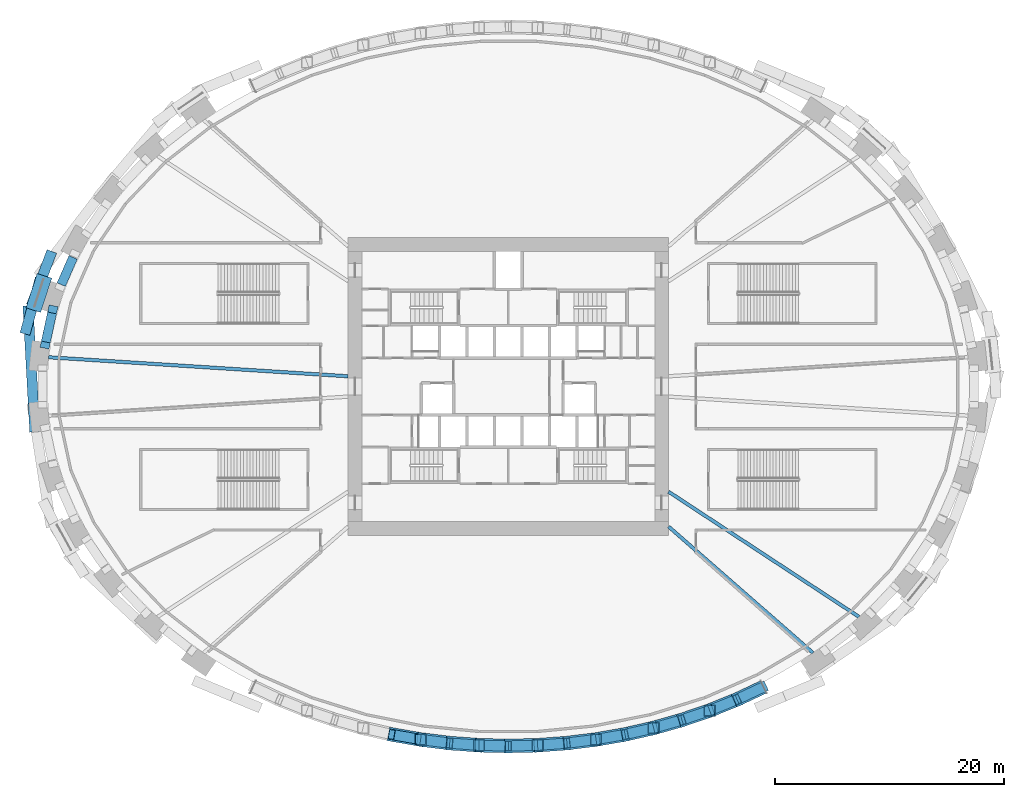
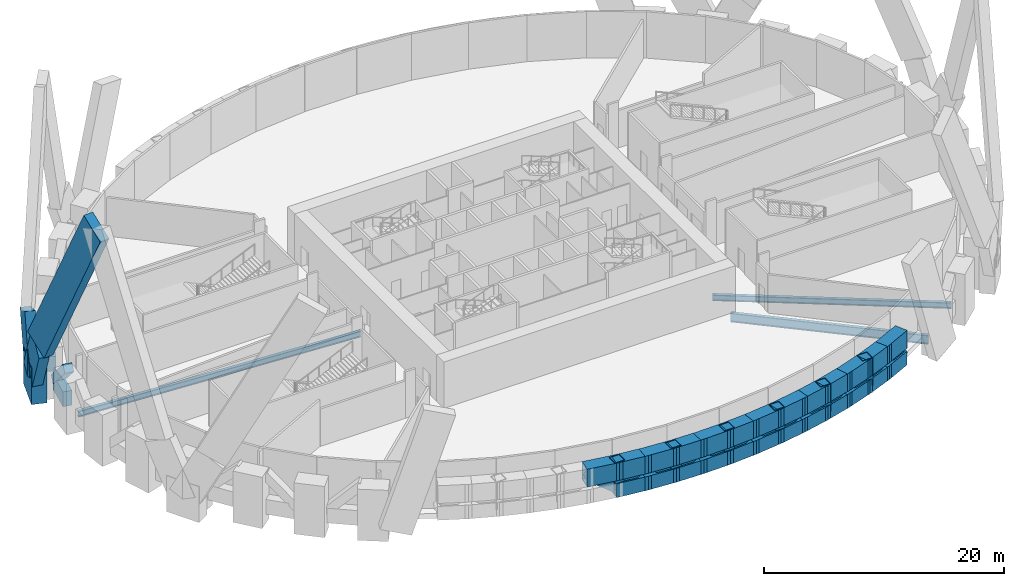
# One storey, part 2 of 16: 49 members, 5 beams.
"""IFC4 building model written with IfcOpenShell, lengths in metres."""

from ifc_helpers import new_model, si_unit, direction, frame, origin, origin_2d, place, context, subcontext, project, spatial, rectangle, hollow_rectangle, i_section, extrude, source, transform, mapped, material, material_profile, profile_set, type_object, element, save


model = new_model("IFC4")

# Units and contexts
model_context = context("Model", 3, precision=1e-05, world=origin(), true_north=direction((0.0, 1.0)))
body_context = subcontext(model_context, "Body", "Model", "MODEL_VIEW")
ifc_project = project(units=[si_unit("LENGTHUNIT", "METRE"), si_unit("AREAUNIT", "SQUARE_METRE"), si_unit("VOLUMEUNIT", "CUBIC_METRE"), si_unit("PLANEANGLEUNIT", "RADIAN"), si_unit("MASSUNIT", "GRAM", prefix="KILO")], contexts=[model_context])

# Site, building, storey
site_placement = place(None, origin())
site = spatial("IfcSite", under=ifc_project, at=site_placement, CompositionType="ELEMENT")
building_placement = place(site_placement, origin())
building = spatial("IfcBuilding", under=site, at=building_placement, Name="Embergate Tower", CompositionType="ELEMENT")
storey_placement = place(building_placement, frame((0.0, 0.0, 24.0)))
storey = spatial("IfcBuildingStorey", under=building, at=storey_placement, Name="L02", CompositionType="ELEMENT", Elevation=24.0)

# Beams
ifc_material_1 = material(Name="Concrete C70", Category="concrete")
ifc_material_profile_1 = material_profile(ifc_material_1, rectangle(XDim=0.800048828125, YDim=1.5, at=origin_2d()), Name="RC 800x1500")
ifc_profile_set_1 = profile_set([ifc_material_profile_1], Name="Concrete C70")
beam_type_1 = type_object("IfcBeamType", Name="Spandrel beam RC 800x1500 C70", PredefinedType="BEAM", material=ifc_profile_set_1)
shared_shape_1 = source(origin(), body_context, "Body", "SweptSolid", [
    extrude(rectangle(XDim=0.800048828125, YDim=1.5, at=origin_2d()), origin(), (0.0, 0.0, 1.0), 2.59716796875),
])
beam_1_placement = place(storey_placement, frame((-39.862060546875, 6.424072265625, 0.0), z_axis=(-0.210196709523, -0.977659114061, 0.0), x_axis=(0.977659114061, -0.210196709523, 0.0)))
element("IfcBeam", 1, at=beam_1_placement, inside=storey, type_object=beam_type_1, Name="SPN-L02-20", PredefinedType="BEAM", context=body_context, shape_type="MappedRepresentation", body=[
    mapped(shared_shape_1, transform((0.0, 0.0, 0.0))),
])
shared_shape_2 = source(origin(), body_context, "Body", "SweptSolid", [
    extrude(rectangle(XDim=0.800048828125, YDim=1.5, at=origin_2d()), origin(), (0.0, 0.0, 1.0), 2.594482421875),
])
beam_2_placement = place(storey_placement, frame((-38.02001953125, 11.27392578125, 0.0), z_axis=(-0.401628265127, -0.915802782618, 0.0), x_axis=(0.915802782618, -0.401628265127, 0.0)))
element("IfcBeam", 2, at=beam_2_placement, inside=storey, type_object=beam_type_1, Name="SPN-L02-19", PredefinedType="BEAM", context=body_context, shape_type="MappedRepresentation", body=[
    mapped(shared_shape_2, transform((0.0, 0.0, 0.0))),
])
ifc_material_2 = material(Name="Steel Q355B", Category="steel")
ifc_material_profile_2 = material_profile(ifc_material_2, i_section(OverallWidth=0.300048828125, OverallDepth=0.587890625, WebThickness=0.011962890625, FlangeThickness=0.02001953125, FilletRadius=0.012939453125, at=origin_2d()), Name="HM 588x300x12x20")
ifc_profile_set_2 = profile_set([ifc_material_profile_2], Name="Steel Q355 grade B")
beam_type_2 = type_object("IfcBeamType", Name="Plant girder HM 588x300x12x20", PredefinedType="BEAM", material=ifc_profile_set_2)
shared_shape_3 = source(origin(), body_context, "Body", "SweptSolid", [
    extrude(i_section(OverallWidth=0.300048828125, OverallDepth=0.587890625, WebThickness=0.011962890625, FlangeThickness=0.02001953125, FilletRadius=0.012939453125, at=origin_2d()), origin(), (0.0, 0.0, 1.0), 26.216796875),
])
beam_3_placement = place(storey_placement, frame((-40.1640625, 2.552001953125, -0.7939453125), z_axis=(0.997985925942, -0.063435728273, 0.0), x_axis=(0.063435728273, 0.997985925942, 0.0)))
element("IfcBeam", 3, at=beam_3_placement, inside=storey, type_object=beam_type_2, Name="GIR-L02-21", PredefinedType="BEAM", context=body_context, shape_type="MappedRepresentation", body=[
    mapped(shared_shape_3, transform((0.0, 0.0, 0.0))),
])
shared_shape_4 = source(origin(), body_context, "Body", "SweptSolid", [
    extrude(i_section(OverallWidth=0.300048828125, OverallDepth=0.587890625, WebThickness=0.011962890625, FlangeThickness=0.02001953125, FilletRadius=0.012939453125, at=origin_2d()), origin(), (0.0, 0.0, 1.0), 19.915283203125),
])
beam_4_placement = place(storey_placement, frame((30.64404296875, -20.134033203125, -0.7939453125), z_axis=(-0.835739557049, 0.549126026322, 0.0), x_axis=(-0.549126026322, -0.835739557049, 0.0)))
element("IfcBeam", 4, at=beam_4_placement, inside=storey, type_object=beam_type_2, Name="GIR-L02-39", PredefinedType="BEAM", context=body_context, shape_type="MappedRepresentation", body=[
    mapped(shared_shape_4, transform((0.0, 0.0, 0.0))),
])
ifc_material_profile_3 = material_profile(ifc_material_2, i_section(OverallWidth=0.300048828125, OverallDepth=0.89990234375, WebThickness=0.01611328125, FlangeThickness=0.028076171875, FilletRadius=0.028076171875, at=origin_2d()), Name="HN 900x300x16x28")
ifc_profile_set_3 = profile_set([ifc_material_profile_3], Name="Steel Q355 grade B")
beam_type_3 = type_object("IfcBeamType", Name="Plant girder HN 900x300x16x28", PredefinedType="BEAM", material=ifc_profile_set_3)
shared_shape_5 = source(origin(), body_context, "Body", "SweptSolid", [
    extrude(i_section(OverallWidth=0.300048828125, OverallDepth=0.89990234375, WebThickness=0.01611328125, FlangeThickness=0.028076171875, FilletRadius=0.028076171875, at=origin_2d()), origin(), (0.0, 0.0, 1.0), 16.760498046875),
])
beam_5_placement = place(storey_placement, frame((26.616943359375, -23.27587890625, -0.949951171875), z_axis=(-0.752779686922, 0.658272544587, 0.0), x_axis=(-0.658272544587, -0.752779686922, 0.0)))
element("IfcBeam", 5, at=beam_5_placement, inside=storey, type_object=beam_type_3, Name="GIR-L02-38", PredefinedType="BEAM", context=body_context, shape_type="MappedRepresentation", body=[
    mapped(shared_shape_5, transform((0.0, 0.0, 0.0))),
])

# Members
ifc_material_3 = material(Name="Steel Q420GJD-Z25", Category="steel")
ifc_material_profile_4 = material_profile(ifc_material_3, hollow_rectangle(XDim=1.199951171875, YDim=1.39990234375, WallThickness=0.080078125, at=origin_2d()), Name="BOX 1400x1200x80")
ifc_profile_set_4 = profile_set([ifc_material_profile_4], Name="Steel Q420 grade GJD-Z25")
member_type_1 = type_object("IfcMemberType", Name="Transfer truss bottom chord BOX 1400x1200x80", PredefinedType="CHORD", material=ifc_profile_set_4)
shared_shape_6 = source(origin(), body_context, "Body", "SweptSolid", [
    extrude(hollow_rectangle(XDim=1.199951171875, YDim=1.39990234375, WallThickness=0.080078125, at=origin_2d()), origin(), (0.0, 0.0, 1.0), 2.85400390625),
])
member_1_placement = place(storey_placement, frame((19.716064453125, -27.47412109375, 0.699951171875), z_axis=(0.904358715967, 0.426773139799, 0.0), x_axis=(-0.426773139799, 0.904358715967, 0.0)))
element("IfcMember", 6, at=member_1_placement, inside=storey, type_object=member_type_1, Name="TRF-S-BC17", PredefinedType="CHORD", context=body_context, shape_type="MappedRepresentation", body=[
    mapped(shared_shape_6, transform((0.0, 0.0, 0.0))),
])
ifc_material_profile_5 = material_profile(ifc_material_3, hollow_rectangle(XDim=1.199951171875, YDim=1.800048828125, WallThickness=0.090087890625, at=origin_2d()), Name="BOX 1800x1200x90")
ifc_profile_set_5 = profile_set([ifc_material_profile_5], Name="Steel Q420 grade GJD-Z25")
member_type_2 = type_object("IfcMemberType", Name="Transfer truss top chord BOX 1800x1200x90", PredefinedType="CHORD", material=ifc_profile_set_5)
shared_shape_7 = source(origin(), body_context, "Body", "SweptSolid", [
    extrude(hollow_rectangle(XDim=1.199951171875, YDim=1.800048828125, WallThickness=0.090087890625, at=origin_2d()), origin(), (0.0, 0.0, 1.0), 2.85400390625),
])
member_2_placement = place(storey_placement, frame((19.716064453125, -27.47412109375, 2.60009765625), z_axis=(0.904358715967, 0.426773139799, 0.0), x_axis=(-0.426773139799, 0.904358715967, 0.0)))
element("IfcMember", 7, at=member_2_placement, inside=storey, type_object=member_type_2, Name="TRF-S-TC17", PredefinedType="CHORD", context=body_context, shape_type="MappedRepresentation", body=[
    mapped(shared_shape_7, transform((0.0, 0.0, 0.0))),
])
shared_shape_8 = source(origin(), body_context, "Body", "SweptSolid", [
    extrude(hollow_rectangle(XDim=1.199951171875, YDim=1.39990234375, WallThickness=0.080078125, at=origin_2d()), origin(), (0.0, 0.0, 1.0), 3.184814453125),
])
member_3_placement = place(storey_placement, frame((17.31201171875, -28.427001953125, 0.699951171875), z_axis=(0.927175792195, 0.374626547868, 0.0), x_axis=(-0.374626547868, 0.927175792195, 0.0)))
element("IfcMember", 8, at=member_3_placement, inside=storey, type_object=member_type_1, Name="TRF-S-BC16", PredefinedType="CHORD", context=body_context, shape_type="MappedRepresentation", body=[
    mapped(shared_shape_8, transform((0.0, 0.0, 0.0))),
])
shared_shape_9 = source(origin(), body_context, "Body", "SweptSolid", [
    extrude(hollow_rectangle(XDim=1.199951171875, YDim=1.800048828125, WallThickness=0.090087890625, at=origin_2d()), origin(), (0.0, 0.0, 1.0), 3.184814453125),
])
member_4_placement = place(storey_placement, frame((17.31201171875, -28.427001953125, 2.60009765625), z_axis=(0.927175792195, 0.374626547868, 0.0), x_axis=(-0.374626547868, 0.927175792195, 0.0)))
element("IfcMember", 9, at=member_4_placement, inside=storey, type_object=member_type_2, Name="TRF-S-TC16", PredefinedType="CHORD", context=body_context, shape_type="MappedRepresentation", body=[
    mapped(shared_shape_9, transform((0.0, 0.0, 0.0))),
])
shared_shape_10 = source(origin(), body_context, "Body", "SweptSolid", [
    extrude(hollow_rectangle(XDim=1.199951171875, YDim=1.39990234375, WallThickness=0.080078125, at=origin_2d()), origin(), (0.0, 0.0, 1.0), 3.15478515625),
])
member_5_placement = place(storey_placement, frame((14.887939453125, -29.236083984375, 0.699951171875), z_axis=(0.946502130623, 0.322697562317, 0.0), x_axis=(-0.322697562317, 0.946502130623, 0.0)))
element("IfcMember", 10, at=member_5_placement, inside=storey, type_object=member_type_1, Name="TRF-S-BC15", PredefinedType="CHORD", context=body_context, shape_type="MappedRepresentation", body=[
    mapped(shared_shape_10, transform((0.0, 0.0, 0.0))),
])
shared_shape_11 = source(origin(), body_context, "Body", "SweptSolid", [
    extrude(hollow_rectangle(XDim=1.199951171875, YDim=1.800048828125, WallThickness=0.090087890625, at=origin_2d()), origin(), (0.0, 0.0, 1.0), 3.15478515625),
])
member_6_placement = place(storey_placement, frame((14.887939453125, -29.236083984375, 2.60009765625), z_axis=(0.946502130623, 0.322697562317, 0.0), x_axis=(-0.322697562317, 0.946502130623, 0.0)))
element("IfcMember", 11, at=member_6_placement, inside=storey, type_object=member_type_2, Name="TRF-S-TC15", PredefinedType="CHORD", context=body_context, shape_type="MappedRepresentation", body=[
    mapped(shared_shape_11, transform((0.0, 0.0, 0.0))),
])
shared_shape_12 = source(origin(), body_context, "Body", "SweptSolid", [
    extrude(hollow_rectangle(XDim=1.199951171875, YDim=1.39990234375, WallThickness=0.080078125, at=origin_2d()), origin(), (0.0, 0.0, 1.0), 3.17919921875),
])
member_7_placement = place(storey_placement, frame((12.402099609375, -29.923095703125, 0.699951171875), z_axis=(0.962164650456, 0.272468687032, 0.0), x_axis=(-0.272468687032, 0.962164650456, 0.0)))
element("IfcMember", 12, at=member_7_placement, inside=storey, type_object=member_type_1, Name="TRF-S-BC14", PredefinedType="CHORD", context=body_context, shape_type="MappedRepresentation", body=[
    mapped(shared_shape_12, transform((0.0, 0.0, 0.0))),
])
shared_shape_13 = source(origin(), body_context, "Body", "SweptSolid", [
    extrude(hollow_rectangle(XDim=1.199951171875, YDim=1.800048828125, WallThickness=0.090087890625, at=origin_2d()), origin(), (0.0, 0.0, 1.0), 3.17919921875),
])
member_8_placement = place(storey_placement, frame((12.402099609375, -29.923095703125, 2.60009765625), z_axis=(0.962164650456, 0.272468687032, 0.0), x_axis=(-0.272468687032, 0.962164650456, 0.0)))
element("IfcMember", 13, at=member_8_placement, inside=storey, type_object=member_type_2, Name="TRF-S-TC14", PredefinedType="CHORD", context=body_context, shape_type="MappedRepresentation", body=[
    mapped(shared_shape_13, transform((0.0, 0.0, 0.0))),
])
shared_shape_14 = source(origin(), body_context, "Body", "SweptSolid", [
    extrude(hollow_rectangle(XDim=1.199951171875, YDim=1.39990234375, WallThickness=0.080078125, at=origin_2d()), origin(), (0.0, 0.0, 1.0), 3.156982421875),
])
member_9_placement = place(storey_placement, frame((9.905029296875, -30.472900390625, 0.699951171875), z_axis=(0.975251981283, 0.221096298033, 0.0), x_axis=(-0.221096298033, 0.975251981283, 0.0)))
element("IfcMember", 14, at=member_9_placement, inside=storey, type_object=member_type_1, Name="TRF-S-BC13", PredefinedType="CHORD", context=body_context, shape_type="MappedRepresentation", body=[
    mapped(shared_shape_14, transform((0.0, 0.0, 0.0))),
])
shared_shape_15 = source(origin(), body_context, "Body", "SweptSolid", [
    extrude(hollow_rectangle(XDim=1.199951171875, YDim=1.800048828125, WallThickness=0.090087890625, at=origin_2d()), origin(), (0.0, 0.0, 1.0), 3.156982421875),
])
member_10_placement = place(storey_placement, frame((9.905029296875, -30.472900390625, 2.60009765625), z_axis=(0.975251981283, 0.221096298033, 0.0), x_axis=(-0.221096298033, 0.975251981283, 0.0)))
element("IfcMember", 15, at=member_10_placement, inside=storey, type_object=member_type_2, Name="TRF-S-TC13", PredefinedType="CHORD", context=body_context, shape_type="MappedRepresentation", body=[
    mapped(shared_shape_15, transform((0.0, 0.0, 0.0))),
])
shared_shape_16 = source(origin(), body_context, "Body", "SweptSolid", [
    extrude(hollow_rectangle(XDim=1.199951171875, YDim=1.39990234375, WallThickness=0.080078125, at=origin_2d()), origin(), (0.0, 0.0, 1.0), 3.17431640625),
])
member_11_placement = place(storey_placement, frame((7.366943359375, -30.90087890625, 0.699951171875), z_axis=(0.985100907682, 0.17197732898, 0.0), x_axis=(-0.17197732898, 0.985100907682, 0.0)))
element("IfcMember", 16, at=member_11_placement, inside=storey, type_object=member_type_1, Name="TRF-S-BC12", PredefinedType="CHORD", context=body_context, shape_type="MappedRepresentation", body=[
    mapped(shared_shape_16, transform((0.0, 0.0, 0.0))),
])
shared_shape_17 = source(origin(), body_context, "Body", "SweptSolid", [
    extrude(hollow_rectangle(XDim=1.199951171875, YDim=1.800048828125, WallThickness=0.090087890625, at=origin_2d()), origin(), (0.0, 0.0, 1.0), 3.17431640625),
])
for number, where, z_axis, x_axis, name in (
    (17, (-10.493896484375, -30.35498046875, 2.60009765625), (0.985100907682, -0.17197732898, 0.0), (0.17197732898, 0.985100907682, 0.0), "TRF-S-TC05"),
    (18, (7.366943359375, -30.90087890625, 2.60009765625), (0.985100907682, 0.17197732898, 0.0), (-0.17197732898, 0.985100907682, 0.0), "TRF-S-TC12"),
):
    element("IfcMember", number, at=place(storey_placement, frame(where, z_axis=z_axis, x_axis=x_axis)), inside=storey, type_object=member_type_2, Name=name, PredefinedType="CHORD", context=body_context, shape_type="MappedRepresentation", body=[
        mapped(shared_shape_17, transform((0.0, 0.0, 0.0))),
    ])
shared_shape_18 = source(origin(), body_context, "Body", "SweptSolid", [
    extrude(hollow_rectangle(XDim=1.199951171875, YDim=1.39990234375, WallThickness=0.080078125, at=origin_2d()), origin(), (0.0, 0.0, 1.0), 3.15966796875),
])
for number, where, z_axis, x_axis, name in (
    (19, (-7.9609375, -30.81201171875, 0.699951171875), (0.992472771118, -0.122465499589, 0.0), (0.122465499589, 0.992472771118, 0.0), "TRF-S-BC06"),
    (20, (4.824951171875, -31.198974609375, 0.699951171875), (0.992472771118, 0.122465499589, 0.0), (-0.122465499589, 0.992472771118, 0.0), "TRF-S-BC11"),
):
    element("IfcMember", number, at=place(storey_placement, frame(where, z_axis=z_axis, x_axis=x_axis)), inside=storey, type_object=member_type_1, Name=name, PredefinedType="CHORD", context=body_context, shape_type="MappedRepresentation", body=[
        mapped(shared_shape_18, transform((0.0, 0.0, 0.0))),
    ])
shared_shape_19 = source(origin(), body_context, "Body", "SweptSolid", [
    extrude(hollow_rectangle(XDim=1.199951171875, YDim=1.800048828125, WallThickness=0.090087890625, at=origin_2d()), origin(), (0.0, 0.0, 1.0), 3.15966796875),
])
for number, where, z_axis, x_axis, name in (
    (21, (-7.9609375, -30.81201171875, 2.60009765625), (0.992472771118, -0.122465499589, 0.0), (0.122465499589, 0.992472771118, 0.0), "TRF-S-TC06"),
    (22, (4.824951171875, -31.198974609375, 2.60009765625), (0.992472771118, 0.122465499589, 0.0), (-0.122465499589, 0.992472771118, 0.0), "TRF-S-TC11"),
):
    element("IfcMember", number, at=place(storey_placement, frame(where, z_axis=z_axis, x_axis=x_axis)), inside=storey, type_object=member_type_2, Name=name, PredefinedType="CHORD", context=body_context, shape_type="MappedRepresentation", body=[
        mapped(shared_shape_19, transform((0.0, 0.0, 0.0))),
    ])
shared_shape_20 = source(origin(), body_context, "Body", "SweptSolid", [
    extrude(hollow_rectangle(XDim=1.199951171875, YDim=1.39990234375, WallThickness=0.080078125, at=origin_2d()), origin(), (0.0, 0.0, 1.0), 3.167724609375),
])
for number, where, z_axis, x_axis, name in (
    (23, (-5.422119140625, -31.139892578125, 0.699951171875), (0.997310277144, -0.0732953689, 0.0), (0.0732953689, 0.997310277144, 0.0), "TRF-S-BC07"),
    (24, (2.262939453125, -31.3720703125, 0.699951171875), (0.997310277144, 0.0732953689, 0.0), (-0.0732953689, 0.997310277144, 0.0), "TRF-S-BC10"),
):
    element("IfcMember", number, at=place(storey_placement, frame(where, z_axis=z_axis, x_axis=x_axis)), inside=storey, type_object=member_type_1, Name=name, PredefinedType="CHORD", context=body_context, shape_type="MappedRepresentation", body=[
        mapped(shared_shape_20, transform((0.0, 0.0, 0.0))),
    ])
shared_shape_21 = source(origin(), body_context, "Body", "SweptSolid", [
    extrude(hollow_rectangle(XDim=1.199951171875, YDim=1.800048828125, WallThickness=0.090087890625, at=origin_2d()), origin(), (0.0, 0.0, 1.0), 3.167724609375),
])
for number, where, z_axis, x_axis, name in (
    (25, (-5.422119140625, -31.139892578125, 2.60009765625), (0.997310277144, -0.0732953689, 0.0), (0.0732953689, 0.997310277144, 0.0), "TRF-S-TC07"),
    (26, (2.262939453125, -31.3720703125, 2.60009765625), (0.997310277144, 0.0732953689, 0.0), (-0.0732953689, 0.997310277144, 0.0), "TRF-S-TC10"),
):
    element("IfcMember", number, at=place(storey_placement, frame(where, z_axis=z_axis, x_axis=x_axis)), inside=storey, type_object=member_type_2, Name=name, PredefinedType="CHORD", context=body_context, shape_type="MappedRepresentation", body=[
        mapped(shared_shape_21, transform((0.0, 0.0, 0.0))),
    ])
shared_shape_22 = source(origin(), body_context, "Body", "SweptSolid", [
    extrude(hollow_rectangle(XDim=1.199951171875, YDim=1.39990234375, WallThickness=0.080078125, at=origin_2d()), origin(), (0.0, 0.0, 1.0), 3.1630859375),
])
for number, where, z_axis, x_axis, name in (
    (27, (-2.862060546875, -31.343017578125, 0.699951171875), (0.999704386113, -0.024313378754, 0.0), (0.024313378754, 0.999704386113, 0.0), "TRF-S-BC08"),
    (28, (-0.300048828125, -31.419921875, 0.699951171875), (0.999704386113, 0.024313378754, 0.0), (-0.024313378754, 0.999704386113, 0.0), "TRF-S-BC09"),
):
    element("IfcMember", number, at=place(storey_placement, frame(where, z_axis=z_axis, x_axis=x_axis)), inside=storey, type_object=member_type_1, Name=name, PredefinedType="CHORD", context=body_context, shape_type="MappedRepresentation", body=[
        mapped(shared_shape_22, transform((0.0, 0.0, 0.0))),
    ])
shared_shape_23 = source(origin(), body_context, "Body", "SweptSolid", [
    extrude(hollow_rectangle(XDim=1.199951171875, YDim=1.800048828125, WallThickness=0.090087890625, at=origin_2d()), origin(), (0.0, 0.0, 1.0), 3.1630859375),
])
for number, where, z_axis, x_axis, name in (
    (29, (-2.862060546875, -31.343017578125, 2.60009765625), (0.999704386113, -0.024313378754, 0.0), (0.024313378754, 0.999704386113, 0.0), "TRF-S-TC08"),
    (30, (-0.300048828125, -31.419921875, 2.60009765625), (0.999704386113, 0.024313378754, 0.0), (-0.024313378754, 0.999704386113, 0.0), "TRF-S-TC09"),
):
    element("IfcMember", number, at=place(storey_placement, frame(where, z_axis=z_axis, x_axis=x_axis)), inside=storey, type_object=member_type_2, Name=name, PredefinedType="CHORD", context=body_context, shape_type="MappedRepresentation", body=[
        mapped(shared_shape_23, transform((0.0, 0.0, 0.0))),
    ])
ifc_material_4 = material(Name="Steel Q355D", Category="steel")
ifc_material_profile_6 = material_profile(ifc_material_4, hollow_rectangle(XDim=1.0, YDim=1.0, WallThickness=0.06005859375, at=origin_2d()), Name="BOX 1000x1000x60")
ifc_profile_set_6 = profile_set([ifc_material_profile_6], Name="Steel Q355 grade D")
member_type_3 = type_object("IfcMemberType", Name="Transfer truss post BOX 1000x1000x60", PredefinedType="POST", material=ifc_profile_set_6)
shared_shape_24 = source(origin(), body_context, "Body", "SweptSolid", [
    extrude(hollow_rectangle(XDim=1.0, YDim=1.0, WallThickness=0.06005859375, at=origin_2d()), origin(), (0.0, 0.0, 1.0), 2.800048828125),
])
for number, where, z_axis, x_axis, name in (
    (31, (-7.6630859375, -30.84912109375, 0.699951171875), (0.0, 0.0, 1.0), (1.0, 0.0, 0.0), "TRF-S-PO06"),
    (32, (-2.56201171875, -31.35009765625, 0.699951171875), (0.0, 0.0, 1.0), (1.0, 0.0, 0.0), "TRF-S-PO08"),
    (33, (2.56201171875, -31.35009765625, 0.699951171875), (0.0, 0.0, 1.0), (1.0, 0.0, 0.0), "TRF-S-PO10"),
    (34, (7.6630859375, -30.84912109375, 0.699951171875), (0.0, 0.0, 1.0), (1.0, 0.0, 0.0), "TRF-S-PO12"),
    (35, (12.69091796875, -29.841064453125, 0.699951171875), (0.0, 0.0, 1.0), (1.0, 0.0, 0.0), "TRF-S-PO14"),
    (36, (17.590087890625, -28.31494140625, 0.699951171875), (0.0, 0.0, 1.0), (1.0, 0.0, 0.0), "TRF-S-PO16"),
):
    element("IfcMember", number, at=place(storey_placement, frame(where, z_axis=z_axis, x_axis=x_axis)), inside=storey, type_object=member_type_3, Name=name, PredefinedType="POST", context=body_context, shape_type="MappedRepresentation", body=[
        mapped(shared_shape_24, transform((0.0, 0.0, 0.0))),
    ])
ifc_material_profile_7 = material_profile(ifc_material_4, hollow_rectangle(XDim=0.89990234375, YDim=0.89990234375, WallThickness=0.050048828125, at=origin_2d()), Name="BOX 900x900x50")
ifc_profile_set_7 = profile_set([ifc_material_profile_7], Name="Steel Q355 grade D")
member_type_4 = type_object("IfcMemberType", Name="Transfer truss diagonal BOX 900x900x50", PredefinedType="BRACE", material=ifc_profile_set_7)
shared_shape_25 = source(origin(), body_context, "Body", "SweptSolid", [
    extrude(hollow_rectangle(XDim=0.89990234375, YDim=0.89990234375, WallThickness=0.050048828125, at=origin_2d()), origin(), (0.0, 0.0, 1.0), 3.18359375),
])
member_12_placement = place(storey_placement, frame((19.987060546875, -27.345947265625, 2.60009765625), z_axis=(0.725634345581, 0.342341124358, -0.596872977347), x_axis=(-0.4266806336, 0.904402364499, 0.0)))
element("IfcMember", 37, at=member_12_placement, inside=storey, type_object=member_type_4, Name="TRF-S-DG17", PredefinedType="BRACE", context=body_context, shape_type="MappedRepresentation", body=[
    mapped(shared_shape_25, transform((0.0, 0.0, 0.0))),
])
shared_shape_26 = source(origin(), body_context, "Body", "SweptSolid", [
    extrude(hollow_rectangle(XDim=0.89990234375, YDim=0.89990234375, WallThickness=0.050048828125, at=origin_2d()), origin(), (0.0, 0.0, 1.0), 3.20849609375),
])
member_13_placement = place(storey_placement, frame((17.590087890625, -28.31494140625, 0.699951171875), z_axis=(0.747050975398, 0.302000949415, 0.592207959006), x_axis=(-0.374790902419, 0.927109367585, 0.0)))
element("IfcMember", 38, at=member_13_placement, inside=storey, type_object=member_type_4, Name="TRF-S-DG16", PredefinedType="BRACE", context=body_context, shape_type="MappedRepresentation", body=[
    mapped(shared_shape_26, transform((0.0, 0.0, 0.0))),
])
shared_shape_27 = source(origin(), body_context, "Body", "SweptSolid", [
    extrude(hollow_rectangle(XDim=0.89990234375, YDim=0.89990234375, WallThickness=0.050048828125, at=origin_2d()), origin(), (0.0, 0.0, 1.0), 3.183837890625),
])
member_14_placement = place(storey_placement, frame((15.172119140625, -29.138916015625, 2.60009765625), z_axis=(0.759479434261, 0.258808874256, -0.596832435062), x_axis=(-0.322557168561, 0.946549984422, 0.0)))
element("IfcMember", 39, at=member_14_placement, inside=storey, type_object=member_type_4, Name="TRF-S-DG15", PredefinedType="BRACE", context=body_context, shape_type="MappedRepresentation", body=[
    mapped(shared_shape_27, transform((0.0, 0.0, 0.0))),
])
shared_shape_28 = source(origin(), body_context, "Body", "SweptSolid", [
    extrude(hollow_rectangle(XDim=0.89990234375, YDim=0.89990234375, WallThickness=0.050048828125, at=origin_2d()), origin(), (0.0, 0.0, 1.0), 3.203125),
])
member_15_placement = place(storey_placement, frame((12.69091796875, -29.841064453125, 0.699951171875), z_axis=(0.774621976013, 0.219208186856, 0.593218817211), x_axis=(-0.272294349332, 0.962214002872, 0.0)))
element("IfcMember", 40, at=member_15_placement, inside=storey, type_object=member_type_4, Name="TRF-S-DG14", PredefinedType="BRACE", context=body_context, shape_type="MappedRepresentation", body=[
    mapped(shared_shape_28, transform((0.0, 0.0, 0.0))),
])
shared_shape_29 = source(origin(), body_context, "Body", "SweptSolid", [
    extrude(hollow_rectangle(XDim=0.89990234375, YDim=0.89990234375, WallThickness=0.050048828125, at=origin_2d()), origin(), (0.0, 0.0, 1.0), 3.185302734375),
])
member_16_placement = place(storey_placement, frame((10.197998046875, -30.406982421875, 2.60009765625), z_axis=(0.782658403061, 0.177671352296, -0.596555709629), x_axis=(-0.221377552886, 0.97518817624, 0.0)))
element("IfcMember", 41, at=member_16_placement, inside=storey, type_object=member_type_4, Name="TRF-S-DG13", PredefinedType="BRACE", context=body_context, shape_type="MappedRepresentation", body=[
    mapped(shared_shape_29, transform((0.0, 0.0, 0.0))),
])
shared_shape_30 = source(origin(), body_context, "Body", "SweptSolid", [
    extrude(hollow_rectangle(XDim=0.89990234375, YDim=0.89990234375, WallThickness=0.050048828125, at=origin_2d()), origin(), (0.0, 0.0, 1.0), 3.19873046875),
])
for number, where, z_axis, x_axis, name in (
    (42, (-10.197998046875, -30.406982421875, 2.60009765625), (0.792476520346, -0.138223536391, -0.594033011447), (0.171825645618, 0.985127376286, 0.0), "TRF-S-DG05"),
    (43, (7.6630859375, -30.84912109375, 0.699951171875), (0.792476520346, 0.138223536391, 0.594033011447), (-0.171825645618, 0.985127376286, 0.0), "TRF-S-DG12"),
):
    element("IfcMember", number, at=place(storey_placement, frame(where, z_axis=z_axis, x_axis=x_axis)), inside=storey, type_object=member_type_4, Name=name, PredefinedType="BRACE", context=body_context, shape_type="MappedRepresentation", body=[
        mapped(shared_shape_30, transform((0.0, 0.0, 0.0))),
    ])
shared_shape_31 = source(origin(), body_context, "Body", "SweptSolid", [
    extrude(hollow_rectangle(XDim=0.89990234375, YDim=0.89990234375, WallThickness=0.050048828125, at=origin_2d()), origin(), (0.0, 0.0, 1.0), 3.1875),
])
for number, where, z_axis, x_axis, name in (
    (44, (-7.6630859375, -30.84912109375, 0.699951171875), (0.796868705357, -0.098191626323, 0.596119678373), (0.122296880814, 0.992493563175, 0.0), "TRF-S-DG06"),
    (45, (5.123046875, -31.162109375, 2.60009765625), (0.796868705357, 0.098191626323, -0.596119678373), (-0.122296880814, 0.992493563175, 0.0), "TRF-S-DG11"),
):
    element("IfcMember", number, at=place(storey_placement, frame(where, z_axis=z_axis, x_axis=x_axis)), inside=storey, type_object=member_type_4, Name=name, PredefinedType="BRACE", context=body_context, shape_type="MappedRepresentation", body=[
        mapped(shared_shape_31, transform((0.0, 0.0, 0.0))),
    ])
shared_shape_32 = source(origin(), body_context, "Body", "SweptSolid", [
    extrude(hollow_rectangle(XDim=0.89990234375, YDim=0.89990234375, WallThickness=0.050048828125, at=origin_2d()), origin(), (0.0, 0.0, 1.0), 3.194580078125),
])
for number, where, z_axis, x_axis, name in (
    (46, (-5.123046875, -31.162109375, 2.60009765625), (0.801702703842, -0.058847576926, -0.594819079504), (0.073206287076, 0.997316820039, 0.0), "TRF-S-DG07"),
    (47, (2.56201171875, -31.35009765625, 0.699951171875), (0.801702703842, 0.058847576926, 0.594819079504), (-0.073206287076, 0.997316820039, 0.0), "TRF-S-DG10"),
):
    element("IfcMember", number, at=place(storey_placement, frame(where, z_axis=z_axis, x_axis=x_axis)), inside=storey, type_object=member_type_4, Name=name, PredefinedType="BRACE", context=body_context, shape_type="MappedRepresentation", body=[
        mapped(shared_shape_32, transform((0.0, 0.0, 0.0))),
    ])
shared_shape_33 = source(origin(), body_context, "Body", "SweptSolid", [
    extrude(hollow_rectangle(XDim=0.89990234375, YDim=0.89990234375, WallThickness=0.050048828125, at=origin_2d()), origin(), (0.0, 0.0, 1.0), 3.1904296875),
])
for number, where, z_axis, x_axis, name in (
    (48, (-2.56201171875, -31.35009765625, 0.699951171875), (0.803046608878, -0.019743284266, 0.595589075367), (0.024578050489, 0.999697914089, 0.0), "TRF-S-DG08"),
    (49, (0.0, -31.4130859375, 2.60009765625), (0.803046608878, 0.019743284266, -0.595589075367), (-0.024578050489, 0.999697914089, 0.0), "TRF-S-DG09"),
):
    element("IfcMember", number, at=place(storey_placement, frame(where, z_axis=z_axis, x_axis=x_axis)), inside=storey, type_object=member_type_4, Name=name, PredefinedType="BRACE", context=body_context, shape_type="MappedRepresentation", body=[
        mapped(shared_shape_33, transform((0.0, 0.0, 0.0))),
    ])
ifc_material_profile_8 = material_profile(ifc_material_1, rectangle(XDim=0.800048828125, YDim=0.800048828125, at=origin_2d()), Name="RC 800x800")
ifc_profile_set_8 = profile_set([ifc_material_profile_8], Name="Concrete C70")
member_type_5 = type_object("IfcMemberType", Name="Belt ring diagonal RC 800x800", PredefinedType="BRACE", material=ifc_profile_set_8)
shared_shape_34 = source(origin(), body_context, "Body", "SweptSolid", [
    extrude(rectangle(XDim=0.800048828125, YDim=0.800048828125, at=origin_2d()), origin(), (0.0, 0.0, 1.0), 4.548583984375),
])
member_17_placement = place(storey_placement, frame((-39.7880859375, 6.77001953125, 0.0810546875), z_axis=(-0.148834484333, -0.692056199419, 0.706333145987), x_axis=(0.977646803044, -0.210253961908, 0.0)))
element("IfcMember", 50, at=member_17_placement, inside=storey, type_object=member_type_5, Name="BLT-L02-20", PredefinedType="BRACE", context=body_context, shape_type="MappedRepresentation", body=[
    mapped(shared_shape_34, transform((0.0, 0.0, 0.0))),
])
ifc_material_profile_9 = material_profile(ifc_material_1, rectangle(XDim=1.35009765625, YDim=3.14990234375, at=origin_2d()), Name="RC 1350x3150")
ifc_profile_set_9 = profile_set([ifc_material_profile_9], Name="Concrete C70")
member_type_6 = type_object("IfcMemberType", Name="Lattice node block RC 1350x3150", PredefinedType="POST", material=ifc_profile_set_9)
shared_shape_35 = source(origin(), body_context, "Body", "SweptSolid", [
    extrude(rectangle(XDim=1.35009765625, YDim=3.14990234375, at=origin_2d()), origin(), (0.0, 0.0, 1.0), 3.64990234375),
])
member_18_placement = place(storey_placement, frame((-41.014892578125, 8.16796875, -1.824951171875), z_axis=(0.0, 0.0, 1.0), x_axis=(-0.950754033697, 0.309946394413, 0.0)))
element("IfcMember", 51, at=member_18_placement, inside=storey, type_object=member_type_6, Name="NOD-L02-20", PredefinedType="POST", context=body_context, shape_type="MappedRepresentation", body=[
    mapped(shared_shape_35, transform((0.0, 0.0, 0.0))),
])
ifc_material_profile_10 = material_profile(ifc_material_1, rectangle(XDim=0.89990234375, YDim=2.800048828125, at=origin_2d()), Name="RC 900x2800")
ifc_profile_set_10 = profile_set([ifc_material_profile_10], Name="Concrete C70")
member_type_7 = type_object("IfcMemberType", Name="Lattice diagonal terracotta-faced RC 900x2800", PredefinedType="BRACE", material=ifc_profile_set_10)
shared_shape_36 = source(origin(), body_context, "Body", "SweptSolid", [
    extrude(rectangle(XDim=0.89990234375, YDim=2.800048828125, at=origin_2d()), origin(), (0.0, 0.0, 1.0), 5.61767578125),
])
member_19_placement = place(storey_placement, frame((-41.22900390625, 8.238037109375, 0.0), z_axis=(0.161281068169, 0.426345265087, 0.890066363811), x_axis=(-0.93531440047, 0.353817710514, 0.0)))
element("IfcMember", 52, at=member_19_placement, inside=storey, type_object=member_type_7, Name="BRC-L02-20-18-S00", PredefinedType="BRACE", context=body_context, shape_type="MappedRepresentation", body=[
    mapped(shared_shape_36, transform((0.0, 0.0, 0.0))),
])
shared_shape_37 = source(origin(), body_context, "Body", "SweptSolid", [
    extrude(rectangle(XDim=0.89990234375, YDim=2.800048828125, at=origin_2d()), origin(), (0.0, 0.0, 1.0), 5.606201171875),
])
member_20_placement = place(storey_placement, frame((-41.22900390625, 8.238037109375, 0.0), z_axis=(-0.119844427068, -0.436134424812, 0.891865503759), x_axis=(0.964257682617, -0.264966264859, 0.0)))
element("IfcMember", 53, at=member_20_placement, inside=storey, type_object=member_type_7, Name="BRC-L02-20-22-S00", PredefinedType="BRACE", context=body_context, shape_type="MappedRepresentation", body=[
    mapped(shared_shape_37, transform((0.0, 0.0, 0.0))),
])
shared_shape_38 = source(origin(), body_context, "Body", "SweptSolid", [
    extrude(rectangle(XDim=0.89990234375, YDim=2.800048828125, at=origin_2d()), origin(), (0.0, 0.0, 1.0), 18.843994140625),
])
member_21_placement = place(storey_placement, frame((-41.90087890625, 5.79296875, 5.0), z_axis=(0.024616134706, -0.452289085565, 0.891531619737), x_axis=(0.998522205721, 0.05434523606, 0.0)))
element("IfcMember", 54, at=member_21_placement, inside=storey, type_object=member_type_7, Name="BRC-L02-20-22-S01", PredefinedType="BRACE", context=body_context, shape_type="MappedRepresentation", body=[
    mapped(shared_shape_38, transform((0.0, 0.0, 0.0))),
])

save(model, "model.ifc")
